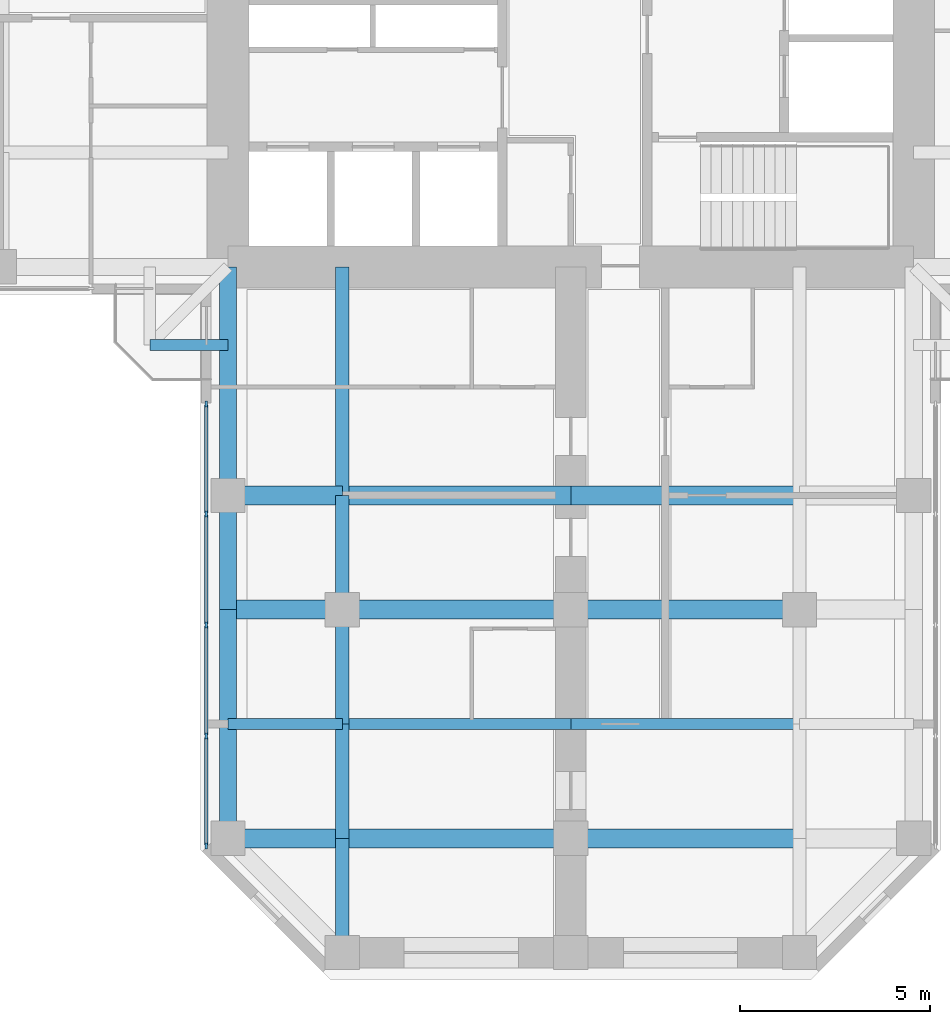
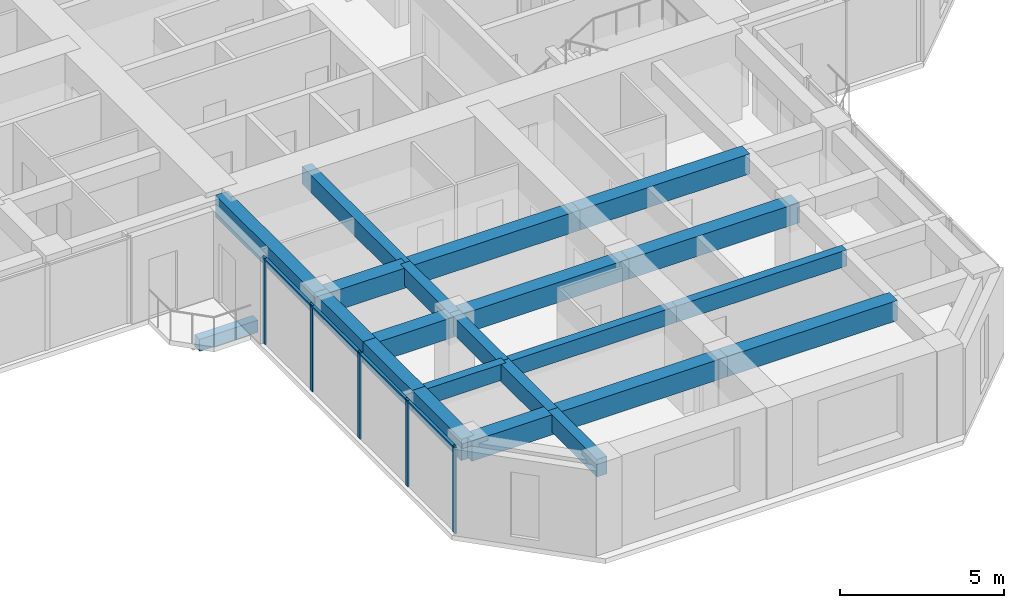
# One storey, part 2 of 14: 22 beams, 9 members, 1 element without a shape of its own.
"""IFC4 building model written with IfcOpenShell, lengths in metres."""

from ifc_helpers import new_model, si_unit, direction, frame, origin, origin_2d, place, context, subcontext, project, spatial, rectangle, extrude, material, material_profile, profile_set, type_object, element, aggregate, save


model = new_model("IFC4")

# Units and contexts
model_context = context("Model", 3, precision=1e-05, world=origin(), true_north=direction((0.0, 1.0)))
body_context = subcontext(model_context, "Body", "Model", "MODEL_VIEW")
ifc_project = project(units=[si_unit("LENGTHUNIT", "METRE"), si_unit("AREAUNIT", "SQUARE_METRE"), si_unit("VOLUMEUNIT", "CUBIC_METRE"), si_unit("PLANEANGLEUNIT", "RADIAN"), si_unit("MASSUNIT", "GRAM", prefix="KILO")], contexts=[model_context])

# Site, building, storey
site_placement = place(None, origin())
site = spatial("IfcSite", under=ifc_project, at=site_placement, CompositionType="ELEMENT")
building_placement = place(site_placement, origin())
building = spatial("IfcBuilding", under=site, at=building_placement, Name="Torre Cruceta", CompositionType="ELEMENT")
storey_placement = place(building_placement, frame((0.0, 0.0, 186.5)))
storey = spatial("IfcBuildingStorey", under=building, at=storey_placement, Name="L46", CompositionType="ELEMENT", Elevation=186.5)

# Beams
ifc_material_1 = material(Name="Concrete G60 (fck 60 MPa)", Category="concrete")
ifc_material_profile_1 = material_profile(ifc_material_1, rectangle(XDim=0.300048828125, YDim=0.449951171875, at=origin_2d()), Name="RC 300X450")
ifc_profile_set_1 = profile_set([ifc_material_profile_1], Name="Concrete G60 (fck 60 MPa)")
beam_type_1 = type_object("IfcBeamType", Name="BALCONY CANTILEVER BEAM RC 300X450", PredefinedType="BEAM", material=ifc_profile_set_1)
beam_1_placement = place(storey_placement, frame((-9.0, -11.050537109375, -0.405029296875), z_axis=(-1.0, 0.0, 0.0), x_axis=(0.0, -1.0, 0.0)))
element("IfcBeam", 1, at=beam_1_placement, inside=storey, type_object=beam_type_1, Name="BB1 balcony edge beam L46 W-Y", PredefinedType="BEAM", context=body_context, shape_type="SweptSolid", body=[
    extrude(rectangle(XDim=0.300048828125, YDim=0.449951171875, at=origin_2d()), origin(), (0.0, 0.0, 1.0), 2.050537109375),
])
ifc_material_2 = material(Name="Concrete G60 (fck 60 MPa)", Category="concrete")
ifc_material_profile_2 = material_profile(ifc_material_2, rectangle(XDim=0.35009765625, YDim=0.64990234375, at=origin_2d()), Name="RC 350X650")
ifc_profile_set_2 = profile_set([ifc_material_profile_2], Name="Concrete G60 (fck 60 MPa)")
beam_type_2 = type_object("IfcBeamType", Name="COLUMN LINE BEAM RC 350X650", PredefinedType="BEAM", material=ifc_profile_set_2)
beam_2_placement = place(storey_placement, frame((-6.0, -9.0, 2.89501953125), z_axis=(0.0, -1.0, 0.0), x_axis=(1.0, 0.0, 0.0)))
element("IfcBeam", 2, at=beam_2_placement, inside=storey, type_object=beam_type_2, Name="LB7 L46 S col- 1", PredefinedType="BEAM", context=body_context, shape_type="SweptSolid", body=[
    extrude(rectangle(XDim=0.35009765625, YDim=0.64990234375, at=origin_2d()), origin(), (0.0, 0.0, 1.0), 6.0),
])
for number, where, z_axis, x_axis, name in (
    (3, (-6.0, -15.0, 2.89501953125), (0.0, -1.0, 0.0), (1.0, 0.0, 0.0), "LB7 L46 S col- 2"),
    (4, (-6.0, -18.0, 2.89501953125), (0.0, -1.0, 0.0), (1.0, 0.0, 0.0), "LB7 L46 S col- 3"),
    (5, (-6.0, -21.0, 2.89501953125), (0.0, -1.0, 0.0), (1.0, 0.0, 0.0), "LB7 L46 S col- 4"),
    (6, (-6.0, -24.0, 2.89501953125), (0.0, -1.0, 0.0), (1.0, 0.0, 0.0), "LB7 L46 S col- 5"),
):
    element("IfcBeam", number, at=place(storey_placement, frame(where, z_axis=z_axis, x_axis=x_axis)), inside=storey, type_object=beam_type_2, Name=name, PredefinedType="BEAM", context=body_context, shape_type="SweptSolid", body=[
        extrude(rectangle(XDim=0.35009765625, YDim=0.64990234375, at=origin_2d()), origin(), (0.0, 0.0, 1.0), 3.0),
    ])
ifc_material_3 = material(Name="Concrete G60 (fck 60 MPa)", Category="concrete")
ifc_material_profile_3 = material_profile(ifc_material_3, rectangle(XDim=0.5, YDim=0.75, at=origin_2d()), Name="RC 500X750")
ifc_profile_set_3 = profile_set([ifc_material_profile_3], Name="Concrete G60 (fck 60 MPa)")
beam_type_3 = type_object("IfcBeamType", Name="CROSS BEAM RC 500X750", PredefinedType="BEAM", material=ifc_profile_set_3)
beam_3_placement = place(storey_placement, frame((-9.0, -15.0, 2.844970703125), z_axis=(1.0, 0.0, 0.0), x_axis=(0.0, 1.0, 0.0)))
element("IfcBeam", 7, at=beam_3_placement, inside=storey, type_object=beam_type_3, Name="GB6 L46 S cross15 1", PredefinedType="BEAM", context=body_context, shape_type="SweptSolid", body=[
    extrude(rectangle(XDim=0.5, YDim=0.75, at=origin_2d()), origin(), (0.0, 0.0, 1.0), 3.0),
])
for number, where, z_axis, x_axis, name in (
    (8, (-6.0, -15.0, 2.844970703125), (1.0, 0.0, 0.0), (0.0, 1.0, 0.0), "GB6 L46 S cross15 2"),
    (9, (0.0, -15.0, 2.844970703125), (1.0, 0.0, 0.0), (0.0, 1.0, 0.0), "GB6 L46 S cross15 3"),
):
    element("IfcBeam", number, at=place(storey_placement, frame(where, z_axis=z_axis, x_axis=x_axis)), inside=storey, type_object=beam_type_3, Name=name, PredefinedType="BEAM", context=body_context, shape_type="SweptSolid", body=[
        extrude(rectangle(XDim=0.5, YDim=0.75, at=origin_2d()), origin(), (0.0, 0.0, 1.0), 6.0),
    ])
beam_4_placement = place(storey_placement, frame((-9.0, -18.0, 2.844970703125), z_axis=(1.0, 0.0, 0.0), x_axis=(0.0, 1.0, 0.0)))
element("IfcBeam", 10, at=beam_4_placement, inside=storey, type_object=beam_type_3, Name="GB6 L46 S cross18 1", PredefinedType="BEAM", context=body_context, shape_type="SweptSolid", body=[
    extrude(rectangle(XDim=0.5, YDim=0.75, at=origin_2d()), origin(), (0.0, 0.0, 1.0), 3.0),
])
for number, where, z_axis, x_axis, name in (
    (11, (-6.0, -18.0, 2.844970703125), (1.0, 0.0, 0.0), (0.0, 1.0, 0.0), "GB6 L46 S cross18 2"),
    (12, (0.0, -18.0, 2.844970703125), (1.0, 0.0, 0.0), (0.0, 1.0, 0.0), "GB6 L46 S cross18 3"),
):
    element("IfcBeam", number, at=place(storey_placement, frame(where, z_axis=z_axis, x_axis=x_axis)), inside=storey, type_object=beam_type_3, Name=name, PredefinedType="BEAM", context=body_context, shape_type="SweptSolid", body=[
        extrude(rectangle(XDim=0.5, YDim=0.75, at=origin_2d()), origin(), (0.0, 0.0, 1.0), 6.0),
    ])
beam_5_placement = place(storey_placement, frame((-9.0, -24.0, 2.844970703125), z_axis=(1.0, 0.0, 0.0), x_axis=(0.0, 1.0, 0.0)))
element("IfcBeam", 13, at=beam_5_placement, inside=storey, type_object=beam_type_3, Name="GB6 L46 S cross24 1", PredefinedType="BEAM", context=body_context, shape_type="SweptSolid", body=[
    extrude(rectangle(XDim=0.5, YDim=0.75, at=origin_2d()), origin(), (0.0, 0.0, 1.0), 3.0),
])
for number, where, z_axis, x_axis, name in (
    (14, (-6.0, -24.0, 2.844970703125), (1.0, 0.0, 0.0), (0.0, 1.0, 0.0), "GB6 L46 S cross24 2"),
    (15, (0.0, -24.0, 2.844970703125), (1.0, 0.0, 0.0), (0.0, 1.0, 0.0), "GB6 L46 S cross24 3"),
):
    element("IfcBeam", number, at=place(storey_placement, frame(where, z_axis=z_axis, x_axis=x_axis)), inside=storey, type_object=beam_type_3, Name=name, PredefinedType="BEAM", context=body_context, shape_type="SweptSolid", body=[
        extrude(rectangle(XDim=0.5, YDim=0.75, at=origin_2d()), origin(), (0.0, 0.0, 1.0), 6.0),
    ])

# Curtain wall, members
ifc_material_4 = material(Name="Aluminium unitised curtain wall", Category="aluminium")
curtain_wall_type = type_object("IfcCurtainWallType", Name="CURTAIN WALL CW-C CO-LIVING", PredefinedType="USERDEFINED", material=ifc_material_4)
curtain_wall_placement = place(storey_placement, origin())
curtain_wall = element("IfcCurtainWall", 16, at=curtain_wall_placement, inside=storey, type_object=curtain_wall_type, Name="CW-C L46 S side 15", ObjectType="UNITISED", PredefinedType="USERDEFINED")
ifc_material_5 = material(Name="Aluminium mullion", Category="aluminium")
ifc_material_profile_4 = material_profile(ifc_material_5, rectangle(XDim=0.06005859375, YDim=0.159912109375, at=origin_2d()), Name="AL 60X160")
ifc_profile_set_4 = profile_set([ifc_material_profile_4], Name="Aluminium mullion")
member_type_1 = type_object("IfcMemberType", Name="CW-C MULLION 60X160", PredefinedType="MULLION", material=ifc_profile_set_4)
member_1_placement = place(storey_placement, frame((-9.570068359375, -12.60009765625, 0.0), z_axis=(0.0, 0.0, 1.0), x_axis=(1.0, 0.0, 0.0)))
member_1 = element("IfcMember", 17, at=member_1_placement, type_object=member_type_1, Name="CW-C mullion 1", PredefinedType="MULLION", context=body_context, shape_type="SweptSolid", body=[
    extrude(rectangle(XDim=0.06005859375, YDim=0.159912109375, at=origin_2d()), origin(), (0.0, 0.0, 1.0), 3.219970703125),
])
member_2_placement = place(storey_placement, frame((-9.570068359375, -15.486572265625, 0.0), z_axis=(0.0, 0.0, 1.0), x_axis=(1.0, 0.0, 0.0)))
member_2 = element("IfcMember", 18, at=member_2_placement, type_object=member_type_1, Name="CW-C mullion 2", PredefinedType="MULLION", context=body_context, shape_type="SweptSolid", body=[
    extrude(rectangle(XDim=0.06005859375, YDim=0.159912109375, at=origin_2d()), origin(), (0.0, 0.0, 1.0), 3.219970703125),
])
member_3_placement = place(storey_placement, frame((-9.570068359375, -18.403076171875, 0.0), z_axis=(0.0, 0.0, 1.0), x_axis=(1.0, 0.0, 0.0)))
member_3 = element("IfcMember", 19, at=member_3_placement, type_object=member_type_1, Name="CW-C mullion 3", PredefinedType="MULLION", context=body_context, shape_type="SweptSolid", body=[
    extrude(rectangle(XDim=0.06005859375, YDim=0.159912109375, at=origin_2d()), origin(), (0.0, 0.0, 1.0), 3.219970703125),
])
member_4_placement = place(storey_placement, frame((-9.570068359375, -21.319580078125, 0.0), z_axis=(0.0, 0.0, 1.0), x_axis=(1.0, 0.0, 0.0)))
member_4 = element("IfcMember", 20, at=member_4_placement, type_object=member_type_1, Name="CW-C mullion 4", PredefinedType="MULLION", context=body_context, shape_type="SweptSolid", body=[
    extrude(rectangle(XDim=0.06005859375, YDim=0.159912109375, at=origin_2d()), origin(), (0.0, 0.0, 1.0), 3.219970703125),
])
member_5_placement = place(storey_placement, frame((-9.570068359375, -24.2060546875, 0.0), z_axis=(0.0, 0.0, 1.0), x_axis=(1.0, 0.0, 0.0)))
member_5 = element("IfcMember", 21, at=member_5_placement, type_object=member_type_1, Name="CW-C mullion 5", PredefinedType="MULLION", context=body_context, shape_type="SweptSolid", body=[
    extrude(rectangle(XDim=0.06005859375, YDim=0.159912109375, at=origin_2d()), origin(), (0.0, 0.0, 1.0), 3.219970703125),
])
ifc_material_6 = material(Name="Aluminium transom", Category="aluminium")
ifc_material_profile_5 = material_profile(ifc_material_6, rectangle(XDim=0.10009765625, YDim=0.06005859375, at=origin_2d()), Name="AL 100X60")
ifc_profile_set_5 = profile_set([ifc_material_profile_5], Name="Aluminium transom")
member_type_2 = type_object("IfcMemberType", Name="CW-C TRANSOM 60X100", PredefinedType="USERDEFINED", material=ifc_profile_set_5)
member_6_placement = place(storey_placement, frame((-9.570068359375, -12.6298828125, 3.18994140625), z_axis=(0.0, -1.0, 0.0), x_axis=(1.0, 0.0, 0.0)))
member_6 = element("IfcMember", 22, at=member_6_placement, type_object=member_type_2, Name="CW-C transom 1", ObjectType="TRANSOM", PredefinedType="USERDEFINED", context=body_context, shape_type="SweptSolid", body=[
    extrude(rectangle(XDim=0.10009765625, YDim=0.06005859375, at=origin_2d()), origin(), (0.0, 0.0, 1.0), 2.82666015625),
])
member_7_placement = place(storey_placement, frame((-9.570068359375, -15.5166015625, 3.18994140625), z_axis=(0.0, -1.0, 0.0), x_axis=(1.0, 0.0, 0.0)))
member_7 = element("IfcMember", 23, at=member_7_placement, type_object=member_type_2, Name="CW-C transom 2", ObjectType="TRANSOM", PredefinedType="USERDEFINED", context=body_context, shape_type="SweptSolid", body=[
    extrude(rectangle(XDim=0.10009765625, YDim=0.06005859375, at=origin_2d()), origin(), (0.0, 0.0, 1.0), 2.8564453125),
])
member_8_placement = place(storey_placement, frame((-9.570068359375, -18.43310546875, 3.18994140625), z_axis=(0.0, -1.0, 0.0), x_axis=(1.0, 0.0, 0.0)))
member_8 = element("IfcMember", 24, at=member_8_placement, type_object=member_type_2, Name="CW-C transom 3", ObjectType="TRANSOM", PredefinedType="USERDEFINED", context=body_context, shape_type="SweptSolid", body=[
    extrude(rectangle(XDim=0.10009765625, YDim=0.06005859375, at=origin_2d()), origin(), (0.0, 0.0, 1.0), 2.8564453125),
])
member_9_placement = place(storey_placement, frame((-9.570068359375, -21.349609375, 3.18994140625), z_axis=(0.0, -1.0, 0.0), x_axis=(1.0, 0.0, 0.0)))
member_9 = element("IfcMember", 25, at=member_9_placement, type_object=member_type_2, Name="CW-C transom 4", ObjectType="TRANSOM", PredefinedType="USERDEFINED", context=body_context, shape_type="SweptSolid", body=[
    extrude(rectangle(XDim=0.10009765625, YDim=0.06005859375, at=origin_2d()), origin(), (0.0, 0.0, 1.0), 2.826416015625),
])
aggregate(curtain_wall, [member_1, member_2, member_3, member_4, member_5, member_6, member_7, member_8, member_9])

# Beams
ifc_material_7 = material(Name="Concrete G60 (fck 60 MPa)", Category="concrete")
ifc_material_profile_6 = material_profile(ifc_material_7, rectangle(XDim=0.300048828125, YDim=0.60009765625, at=origin_2d()), Name="RC 300X600")
ifc_profile_set_6 = profile_set([ifc_material_profile_6], Name="Concrete G60 (fck 60 MPa)")
beam_type_4 = type_object("IfcBeamType", Name="SECONDARY BEAM RC 300X600", PredefinedType="JOIST", material=ifc_profile_set_6)
beam_6_placement = place(storey_placement, frame((-9.0, -21.0, 2.919921875), z_axis=(1.0, 0.0, 0.0), x_axis=(0.0, 1.0, 0.0)))
element("IfcBeam", 26, at=beam_6_placement, inside=storey, type_object=beam_type_4, Name="JB6 L46 S sec21 1", PredefinedType="JOIST", context=body_context, shape_type="SweptSolid", body=[
    extrude(rectangle(XDim=0.300048828125, YDim=0.60009765625, at=origin_2d()), origin(), (0.0, 0.0, 1.0), 3.0),
])
for number, where, z_axis, x_axis, name in (
    (27, (-6.0, -21.0, 2.919921875), (1.0, 0.0, 0.0), (0.0, 1.0, 0.0), "JB6 L46 S sec21 2"),
    (28, (0.0, -21.0, 2.919921875), (1.0, 0.0, 0.0), (0.0, 1.0, 0.0), "JB6 L46 S sec21 3"),
):
    element("IfcBeam", number, at=place(storey_placement, frame(where, z_axis=z_axis, x_axis=x_axis)), inside=storey, type_object=beam_type_4, Name=name, PredefinedType="JOIST", context=body_context, shape_type="SweptSolid", body=[
        extrude(rectangle(XDim=0.300048828125, YDim=0.60009765625, at=origin_2d()), origin(), (0.0, 0.0, 1.0), 6.0),
    ])
ifc_material_8 = material(Name="Concrete G60 (fck 60 MPa)", Category="concrete")
ifc_material_profile_7 = material_profile(ifc_material_8, rectangle(XDim=0.449951171875, YDim=0.800048828125, at=origin_2d()), Name="RC 450X800")
ifc_profile_set_7 = profile_set([ifc_material_profile_7], Name="Concrete G60 (fck 60 MPa)")
beam_type_5 = type_object("IfcBeamType", Name="SPANDREL BEAM RC 450X800", PredefinedType="SPANDREL", material=ifc_profile_set_7)
beam_7_placement = place(storey_placement, frame((-9.0, -9.0, 2.820068359375), z_axis=(0.0, -1.0, 0.0), x_axis=(1.0, 0.0, 0.0)))
element("IfcBeam", 29, at=beam_7_placement, inside=storey, type_object=beam_type_5, Name="SB6 L46 S side- 1", PredefinedType="SPANDREL", context=body_context, shape_type="SweptSolid", body=[
    extrude(rectangle(XDim=0.449951171875, YDim=0.800048828125, at=origin_2d()), origin(), (0.0, 0.0, 1.0), 6.0),
])
for number, where, z_axis, x_axis, name in (
    (30, (-9.0, -15.0, 2.820068359375), (0.0, -1.0, 0.0), (1.0, 0.0, 0.0), "SB6 L46 S side- 2"),
    (31, (-9.0, -18.0, 2.820068359375), (0.0, -1.0, 0.0), (1.0, 0.0, 0.0), "SB6 L46 S side- 3"),
    (32, (-9.0, -21.0, 2.820068359375), (0.0, -1.0, 0.0), (1.0, 0.0, 0.0), "SB6 L46 S side- 4"),
):
    element("IfcBeam", number, at=place(storey_placement, frame(where, z_axis=z_axis, x_axis=x_axis)), inside=storey, type_object=beam_type_5, Name=name, PredefinedType="SPANDREL", context=body_context, shape_type="SweptSolid", body=[
        extrude(rectangle(XDim=0.449951171875, YDim=0.800048828125, at=origin_2d()), origin(), (0.0, 0.0, 1.0), 3.0),
    ])

save(model, "model.ifc")
